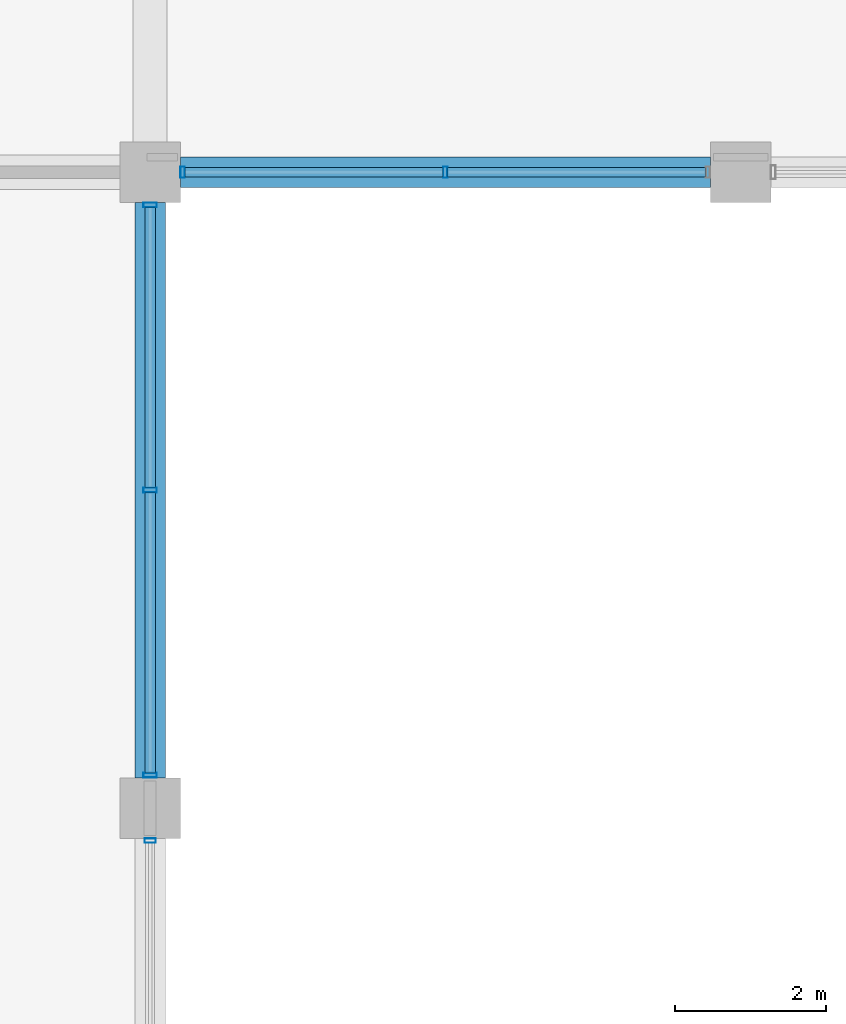
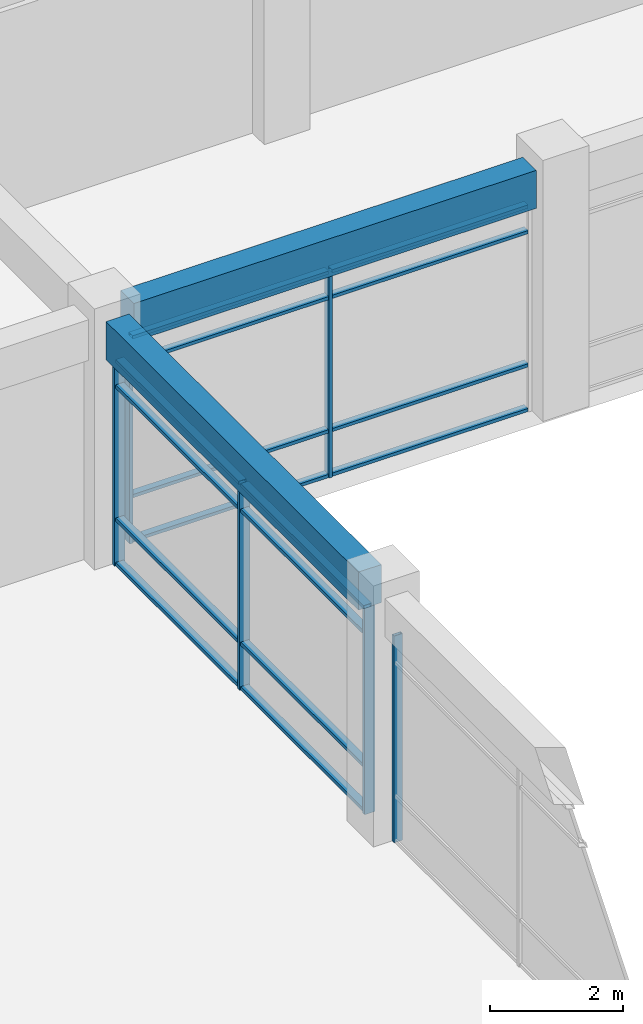
# One storey, part 16 of 62: 22 members, 2 beams, 3 elements without a shape of their own.
"""IFC4 building model written with IfcOpenShell, lengths in metres."""

from ifc_helpers import new_model, si_unit, direction, frame, origin, origin_2d, place, context, subcontext, project, spatial, rectangle, hollow_rectangle, extrude, material, material_profile, profile_set, type_object, element, aggregate, save


model = new_model("IFC4")

# Units and contexts
model_context = context("Model", 3, precision=1e-05, world=origin(), true_north=direction((0.0, 1.0)))
body_context = subcontext(model_context, "Body", "Model", "MODEL_VIEW")
ifc_project = project(units=[si_unit("LENGTHUNIT", "METRE"), si_unit("AREAUNIT", "SQUARE_METRE"), si_unit("VOLUMEUNIT", "CUBIC_METRE"), si_unit("PLANEANGLEUNIT", "RADIAN"), si_unit("MASSUNIT", "GRAM", prefix="KILO"), si_unit("THERMODYNAMICTEMPERATUREUNIT", "KELVIN"), si_unit("POWERUNIT", "WATT")], contexts=[model_context])

# Site, building, storey
site_placement = place(None, origin())
site = spatial("IfcSite", under=ifc_project, at=site_placement, CompositionType="ELEMENT")
building_placement = place(site_placement, origin())
building = spatial("IfcBuilding", under=site, at=building_placement, Name="Srebrne Nadtorze General Hospital", CompositionType="ELEMENT")
storey_placement = place(building_placement, frame((0.0, 0.0, 9.60009765625)))
storey = spatial("IfcBuildingStorey", under=building, at=storey_placement, Name="L02", CompositionType="ELEMENT", Elevation=9.60009765625)

# Curtain wall, members
ifc_material_1 = material(Name="Anodised Aluminium", Category="aluminium")
curtain_wall_type_1 = type_object("IfcCurtainWallType", Name="Unitised curtain wall 7000x3800", PredefinedType="NOTDEFINED", material=ifc_material_1)
curtain_wall_1_placement = place(storey_placement, origin())
curtain_wall_1 = element("IfcCurtainWall", 1, at=curtain_wall_1_placement, inside=storey, type_object=curtain_wall_type_1, Name="Curtain wall CW-074", PredefinedType="NOTDEFINED")
ifc_material_2 = material(Name="Anodised Aluminium", Category="aluminium")
ifc_material_profile_1 = material_profile(ifc_material_2, hollow_rectangle(XDim=0.06005859375, YDim=0.14990234375, WallThickness=0.00390625, at=origin_2d()), Name="AL-MUL-60x150")
ifc_profile_set_1 = profile_set([ifc_material_profile_1], Name="Anodised Aluminium")
member_type_1 = type_object("IfcMemberType", Name="Curtain mullion 60x150", PredefinedType="MULLION", material=ifc_profile_set_1)
member_1_placement = place(storey_placement, frame((117.429931640625, 25.199951171875, 0.0), z_axis=(0.0, 0.0, 1.0), x_axis=(1.0, 0.0, 0.0)))
member_1 = element("IfcMember", 2, at=member_1_placement, type_object=member_type_1, Name="CW-074 mullion 1", PredefinedType="MULLION", context=body_context, shape_type="SweptSolid", body=[
    extrude(hollow_rectangle(XDim=0.06005859375, YDim=0.14990234375, WallThickness=0.00390625, at=origin_2d()), origin(), (0.0, 0.0, 1.0), 3.7998046875),
])
member_2_placement = place(storey_placement, frame((120.89990234375, 25.199951171875, 0.0), z_axis=(0.0, 0.0, 1.0), x_axis=(1.0, 0.0, 0.0)))
member_2 = element("IfcMember", 3, at=member_2_placement, type_object=member_type_1, Name="CW-074 mullion 2", PredefinedType="MULLION", context=body_context, shape_type="SweptSolid", body=[
    extrude(hollow_rectangle(XDim=0.06005859375, YDim=0.14990234375, WallThickness=0.00390625, at=origin_2d()), origin(), (0.0, 0.0, 1.0), 3.7998046875),
])

# Curtain wall, member
ifc_material_3 = material(Name="Anodised Aluminium", Category="aluminium")
curtain_wall_type_2 = type_object("IfcCurtainWallType", Name="Unitised curtain wall 7600x3800", PredefinedType="NOTDEFINED", material=ifc_material_3)
curtain_wall_2_placement = place(storey_placement, origin())
curtain_wall_2 = element("IfcCurtainWall", 4, at=curtain_wall_2_placement, inside=storey, type_object=curtain_wall_type_2, Name="Curtain wall CW-086", PredefinedType="NOTDEFINED")
member_3_placement = place(storey_placement, frame((117.0, 16.3701171875, 0.0), z_axis=(0.0, 0.0, 1.0), x_axis=(0.0, 1.0, 0.0)))
member_3 = element("IfcMember", 5, at=member_3_placement, type_object=member_type_1, Name="CW-086 mullion 3", PredefinedType="MULLION", context=body_context, shape_type="SweptSolid", body=[
    extrude(hollow_rectangle(XDim=0.06005859375, YDim=0.14990234375, WallThickness=0.00390625, at=origin_2d()), origin(), (0.0, 0.0, 1.0), 3.7998046875),
])
aggregate(curtain_wall_2, [member_3])

# Curtain wall, members
curtain_wall_3_placement = place(storey_placement, origin())
curtain_wall_3 = element("IfcCurtainWall", 6, at=curtain_wall_3_placement, inside=storey, type_object=curtain_wall_type_2, Name="Curtain wall CW-087", PredefinedType="NOTDEFINED")
ifc_material_4 = material(Name="Anodised Aluminium", Category="aluminium")
ifc_material_profile_2 = material_profile(ifc_material_4, hollow_rectangle(XDim=0.06494140625, YDim=0.179931640625, WallThickness=0.00390625, at=origin_2d()), Name="AL-MUL-65x180")
ifc_profile_set_2 = profile_set([ifc_material_profile_2], Name="Anodised Aluminium")
member_type_2 = type_object("IfcMemberType", Name="Curtain mullion 65x180", PredefinedType="MULLION", material=ifc_profile_set_2)
member_4_placement = place(storey_placement, frame((117.0, 17.232421875, 0.0), z_axis=(0.0, 0.0, 1.0), x_axis=(0.0, 1.0, 0.0)))
member_4 = element("IfcMember", 7, at=member_4_placement, type_object=member_type_2, Name="CW-087 mullion 1", PredefinedType="MULLION", context=body_context, shape_type="SweptSolid", body=[
    extrude(hollow_rectangle(XDim=0.06494140625, YDim=0.179931640625, WallThickness=0.00390625, at=origin_2d()), origin(), (0.0, 0.0, 1.0), 3.7998046875),
])
member_5_placement = place(storey_placement, frame((117.0, 21.0, 0.0), z_axis=(0.0, 0.0, 1.0), x_axis=(0.0, 1.0, 0.0)))
member_5 = element("IfcMember", 8, at=member_5_placement, type_object=member_type_2, Name="CW-087 mullion 2", PredefinedType="MULLION", context=body_context, shape_type="SweptSolid", body=[
    extrude(hollow_rectangle(XDim=0.06494140625, YDim=0.179931640625, WallThickness=0.00390625, at=origin_2d()), origin(), (0.0, 0.0, 1.0), 3.7998046875),
])
member_6_placement = place(storey_placement, frame((117.0, 24.767578125, 0.0), z_axis=(0.0, 0.0, 1.0), x_axis=(0.0, 1.0, 0.0)))
member_6 = element("IfcMember", 9, at=member_6_placement, type_object=member_type_2, Name="CW-087 mullion 3", PredefinedType="MULLION", context=body_context, shape_type="SweptSolid", body=[
    extrude(hollow_rectangle(XDim=0.06494140625, YDim=0.179931640625, WallThickness=0.00390625, at=origin_2d()), origin(), (0.0, 0.0, 1.0), 3.7998046875),
])

# Member
ifc_material_5 = material(Name="Anodised Aluminium", Category="aluminium")
ifc_material_profile_3 = material_profile(ifc_material_5, hollow_rectangle(XDim=0.06005859375, YDim=0.1201171875, WallThickness=0.00390625, at=origin_2d()), Name="AL-TRN-60x120")
ifc_profile_set_3 = profile_set([ifc_material_profile_3], Name="Anodised Aluminium")
member_type_3 = type_object("IfcMemberType", Name="Curtain transom 60x120", PredefinedType="USERDEFINED", material=ifc_profile_set_3)
member_7_placement = place(storey_placement, frame((117.4599609375, 25.199951171875, 0.02978515625), z_axis=(1.0, 0.0, 0.0), x_axis=(0.0, 0.0, 1.0)))
member_7 = element("IfcMember", 10, at=member_7_placement, type_object=member_type_3, Name="CW-074 transom 1.1", ObjectType="TRANSOM", PredefinedType="USERDEFINED", context=body_context, shape_type="SweptSolid", body=[
    extrude(hollow_rectangle(XDim=0.06005859375, YDim=0.1201171875, WallThickness=0.00390625, at=origin_2d()), origin(), (0.0, 0.0, 1.0), 3.41015625),
])

member_8_placement = place(storey_placement, frame((117.4599609375, 25.199951171875, 0.849853515625), z_axis=(1.0, 0.0, 0.0), x_axis=(0.0, 0.0, 1.0)))
member_8 = element("IfcMember", 11, at=member_8_placement, type_object=member_type_3, Name="CW-074 transom 1.2", ObjectType="TRANSOM", PredefinedType="USERDEFINED", context=body_context, shape_type="SweptSolid", body=[
    extrude(hollow_rectangle(XDim=0.06005859375, YDim=0.1201171875, WallThickness=0.00390625, at=origin_2d()), origin(), (0.0, 0.0, 1.0), 3.41015625),
])

member_9_placement = place(storey_placement, frame((117.4599609375, 25.199951171875, 3.2998046875), z_axis=(1.0, 0.0, 0.0), x_axis=(0.0, 0.0, 1.0)))
member_9 = element("IfcMember", 12, at=member_9_placement, type_object=member_type_3, Name="CW-074 transom 1.3", ObjectType="TRANSOM", PredefinedType="USERDEFINED", context=body_context, shape_type="SweptSolid", body=[
    extrude(hollow_rectangle(XDim=0.06005859375, YDim=0.1201171875, WallThickness=0.00390625, at=origin_2d()), origin(), (0.0, 0.0, 1.0), 3.41015625),
])

member_10_placement = place(storey_placement, frame((117.4599609375, 25.199951171875, 3.77001953125), z_axis=(1.0, 0.0, 0.0), x_axis=(0.0, 0.0, 1.0)))
member_10 = element("IfcMember", 13, at=member_10_placement, type_object=member_type_3, Name="CW-074 transom 1.4", ObjectType="TRANSOM", PredefinedType="USERDEFINED", context=body_context, shape_type="SweptSolid", body=[
    extrude(hollow_rectangle(XDim=0.06005859375, YDim=0.1201171875, WallThickness=0.00390625, at=origin_2d()), origin(), (0.0, 0.0, 1.0), 3.41015625),
])

member_11_placement = place(storey_placement, frame((120.929931640625, 25.199951171875, 0.02978515625), z_axis=(1.0, 0.0, 0.0), x_axis=(0.0, 0.0, 1.0)))
member_11 = element("IfcMember", 14, at=member_11_placement, type_object=member_type_3, Name="CW-074 transom 2.1", ObjectType="TRANSOM", PredefinedType="USERDEFINED", context=body_context, shape_type="SweptSolid", body=[
    extrude(hollow_rectangle(XDim=0.06005859375, YDim=0.1201171875, WallThickness=0.00390625, at=origin_2d()), origin(), (0.0, 0.0, 1.0), 3.41015625),
])

member_12_placement = place(storey_placement, frame((120.929931640625, 25.199951171875, 0.849853515625), z_axis=(1.0, 0.0, 0.0), x_axis=(0.0, 0.0, 1.0)))
member_12 = element("IfcMember", 15, at=member_12_placement, type_object=member_type_3, Name="CW-074 transom 2.2", ObjectType="TRANSOM", PredefinedType="USERDEFINED", context=body_context, shape_type="SweptSolid", body=[
    extrude(hollow_rectangle(XDim=0.06005859375, YDim=0.1201171875, WallThickness=0.00390625, at=origin_2d()), origin(), (0.0, 0.0, 1.0), 3.41015625),
])

member_13_placement = place(storey_placement, frame((120.929931640625, 25.199951171875, 3.2998046875), z_axis=(1.0, 0.0, 0.0), x_axis=(0.0, 0.0, 1.0)))
member_13 = element("IfcMember", 16, at=member_13_placement, type_object=member_type_3, Name="CW-074 transom 2.3", ObjectType="TRANSOM", PredefinedType="USERDEFINED", context=body_context, shape_type="SweptSolid", body=[
    extrude(hollow_rectangle(XDim=0.06005859375, YDim=0.1201171875, WallThickness=0.00390625, at=origin_2d()), origin(), (0.0, 0.0, 1.0), 3.41015625),
])

member_14_placement = place(storey_placement, frame((120.929931640625, 25.199951171875, 3.77001953125), z_axis=(1.0, 0.0, 0.0), x_axis=(0.0, 0.0, 1.0)))
member_14 = element("IfcMember", 17, at=member_14_placement, type_object=member_type_3, Name="CW-074 transom 2.4", ObjectType="TRANSOM", PredefinedType="USERDEFINED", context=body_context, shape_type="SweptSolid", body=[
    extrude(hollow_rectangle(XDim=0.06005859375, YDim=0.1201171875, WallThickness=0.00390625, at=origin_2d()), origin(), (0.0, 0.0, 1.0), 3.41015625),
])

aggregate(curtain_wall_1, [member_1, member_2, member_7, member_8, member_9, member_10, member_11, member_12, member_13, member_14])

ifc_material_6 = material(Name="Anodised Aluminium", Category="aluminium")
ifc_material_profile_4 = material_profile(ifc_material_6, hollow_rectangle(XDim=0.06494140625, YDim=0.139892578125, WallThickness=0.00390625, at=origin_2d()), Name="AL-TRN-65x140")
ifc_profile_set_4 = profile_set([ifc_material_profile_4], Name="Anodised Aluminium")
member_type_4 = type_object("IfcMemberType", Name="Curtain transom 65x140", PredefinedType="USERDEFINED", material=ifc_profile_set_4)
member_15_placement = place(storey_placement, frame((117.0, 17.264892578125, 0.032470703125), z_axis=(0.0, 1.0, 0.0), x_axis=(0.0, 0.0, 1.0)))
member_15 = element("IfcMember", 18, at=member_15_placement, type_object=member_type_4, Name="CW-087 transom 1.1", ObjectType="TRANSOM", PredefinedType="USERDEFINED", context=body_context, shape_type="SweptSolid", body=[
    extrude(hollow_rectangle(XDim=0.06494140625, YDim=0.139892578125, WallThickness=0.00390625, at=origin_2d()), origin(), (0.0, 0.0, 1.0), 3.70263671875),
])

member_16_placement = place(storey_placement, frame((117.0, 17.264892578125, 0.849853515625), z_axis=(0.0, 1.0, 0.0), x_axis=(0.0, 0.0, 1.0)))
member_16 = element("IfcMember", 19, at=member_16_placement, type_object=member_type_4, Name="CW-087 transom 1.2", ObjectType="TRANSOM", PredefinedType="USERDEFINED", context=body_context, shape_type="SweptSolid", body=[
    extrude(hollow_rectangle(XDim=0.06494140625, YDim=0.139892578125, WallThickness=0.00390625, at=origin_2d()), origin(), (0.0, 0.0, 1.0), 3.70263671875),
])

member_17_placement = place(storey_placement, frame((117.0, 17.264892578125, 3.2998046875), z_axis=(0.0, 1.0, 0.0), x_axis=(0.0, 0.0, 1.0)))
member_17 = element("IfcMember", 20, at=member_17_placement, type_object=member_type_4, Name="CW-087 transom 1.3", ObjectType="TRANSOM", PredefinedType="USERDEFINED", context=body_context, shape_type="SweptSolid", body=[
    extrude(hollow_rectangle(XDim=0.06494140625, YDim=0.139892578125, WallThickness=0.00390625, at=origin_2d()), origin(), (0.0, 0.0, 1.0), 3.70263671875),
])

member_18_placement = place(storey_placement, frame((117.0, 17.264892578125, 3.767333984375), z_axis=(0.0, 1.0, 0.0), x_axis=(0.0, 0.0, 1.0)))
member_18 = element("IfcMember", 21, at=member_18_placement, type_object=member_type_4, Name="CW-087 transom 1.4", ObjectType="TRANSOM", PredefinedType="USERDEFINED", context=body_context, shape_type="SweptSolid", body=[
    extrude(hollow_rectangle(XDim=0.06494140625, YDim=0.139892578125, WallThickness=0.00390625, at=origin_2d()), origin(), (0.0, 0.0, 1.0), 3.70263671875),
])

member_19_placement = place(storey_placement, frame((117.0, 21.032470703125, 0.032470703125), z_axis=(0.0, 1.0, 0.0), x_axis=(0.0, 0.0, 1.0)))
member_19 = element("IfcMember", 22, at=member_19_placement, type_object=member_type_4, Name="CW-087 transom 2.1", ObjectType="TRANSOM", PredefinedType="USERDEFINED", context=body_context, shape_type="SweptSolid", body=[
    extrude(hollow_rectangle(XDim=0.06494140625, YDim=0.139892578125, WallThickness=0.00390625, at=origin_2d()), origin(), (0.0, 0.0, 1.0), 3.70263671875),
])

member_20_placement = place(storey_placement, frame((117.0, 21.032470703125, 0.849853515625), z_axis=(0.0, 1.0, 0.0), x_axis=(0.0, 0.0, 1.0)))
member_20 = element("IfcMember", 23, at=member_20_placement, type_object=member_type_4, Name="CW-087 transom 2.2", ObjectType="TRANSOM", PredefinedType="USERDEFINED", context=body_context, shape_type="SweptSolid", body=[
    extrude(hollow_rectangle(XDim=0.06494140625, YDim=0.139892578125, WallThickness=0.00390625, at=origin_2d()), origin(), (0.0, 0.0, 1.0), 3.70263671875),
])

member_21_placement = place(storey_placement, frame((117.0, 21.032470703125, 3.2998046875), z_axis=(0.0, 1.0, 0.0), x_axis=(0.0, 0.0, 1.0)))
member_21 = element("IfcMember", 24, at=member_21_placement, type_object=member_type_4, Name="CW-087 transom 2.3", ObjectType="TRANSOM", PredefinedType="USERDEFINED", context=body_context, shape_type="SweptSolid", body=[
    extrude(hollow_rectangle(XDim=0.06494140625, YDim=0.139892578125, WallThickness=0.00390625, at=origin_2d()), origin(), (0.0, 0.0, 1.0), 3.70263671875),
])

member_22_placement = place(storey_placement, frame((117.0, 21.032470703125, 3.767333984375), z_axis=(0.0, 1.0, 0.0), x_axis=(0.0, 0.0, 1.0)))
member_22 = element("IfcMember", 25, at=member_22_placement, type_object=member_type_4, Name="CW-087 transom 2.4", ObjectType="TRANSOM", PredefinedType="USERDEFINED", context=body_context, shape_type="SweptSolid", body=[
    extrude(hollow_rectangle(XDim=0.06494140625, YDim=0.139892578125, WallThickness=0.00390625, at=origin_2d()), origin(), (0.0, 0.0, 1.0), 3.70263671875),
])

aggregate(curtain_wall_3, [member_4, member_5, member_6, member_15, member_16, member_17, member_18, member_19, member_20, member_21, member_22])

# Beams
ifc_material_7 = material(Name="Concrete C40/50", Category="concrete")
ifc_material_profile_5 = material_profile(ifc_material_7, rectangle(XDim=0.39990234375, YDim=0.699951171875, at=origin_2d()), Name="RC-BM-400x700")
ifc_profile_set_5 = profile_set([ifc_material_profile_5], Name="Concrete C40/50")
beam_type = type_object("IfcBeamType", Name="Edge beam RC 400x700", PredefinedType="BEAM", material=ifc_profile_set_5)
beam_1_placement = place(storey_placement, frame((117.39990234375, 25.199951171875, 4.14990234375), z_axis=(1.0, 0.0, 0.0), x_axis=(0.0, 1.0, 0.0)))
element("IfcBeam", 26, at=beam_1_placement, inside=storey, type_object=beam_type, Name="Beam BM-L02-X-0571", PredefinedType="BEAM", context=body_context, shape_type="SweptSolid", body=[
    extrude(rectangle(XDim=0.39990234375, YDim=0.699951171875, at=origin_2d()), origin(), (0.0, 0.0, 1.0), 7.0),
])
beam_2_placement = place(storey_placement, frame((117.0, 17.199951171875, 4.14990234375), z_axis=(0.0, 1.0, 0.0), x_axis=(-1.0, 0.0, 0.0)))
element("IfcBeam", 27, at=beam_2_placement, inside=storey, type_object=beam_type, Name="Beam BM-L02-Y-0682", PredefinedType="BEAM", context=body_context, shape_type="SweptSolid", body=[
    extrude(rectangle(XDim=0.39990234375, YDim=0.699951171875, at=origin_2d()), origin(), (0.0, 0.0, 1.0), 7.60009765625),
])

save(model, "model.ifc")
